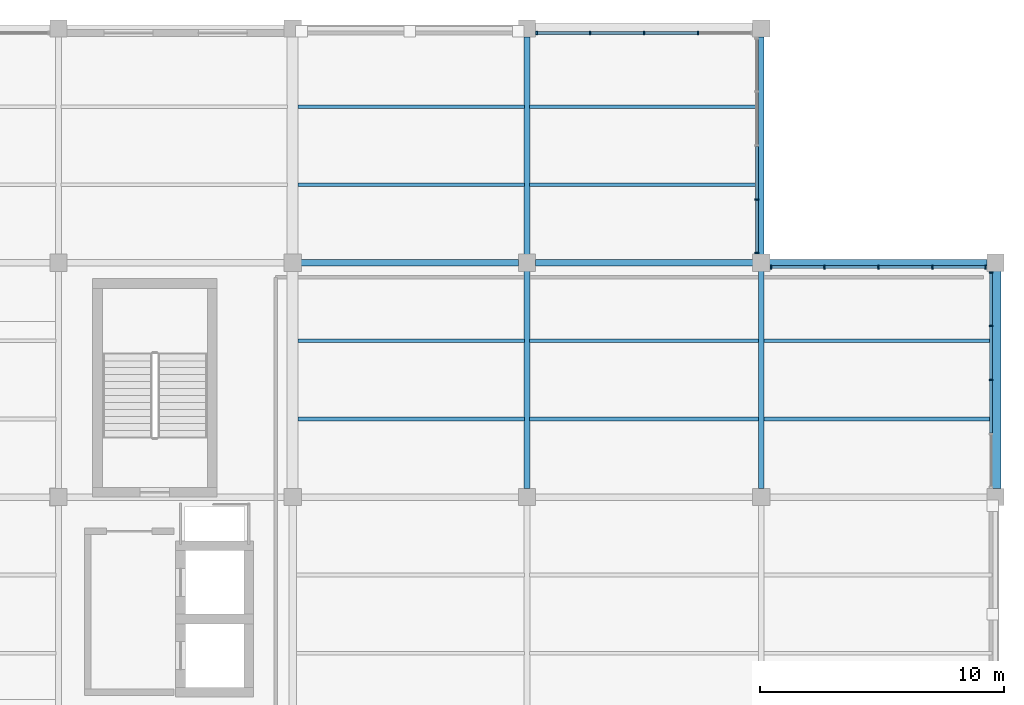
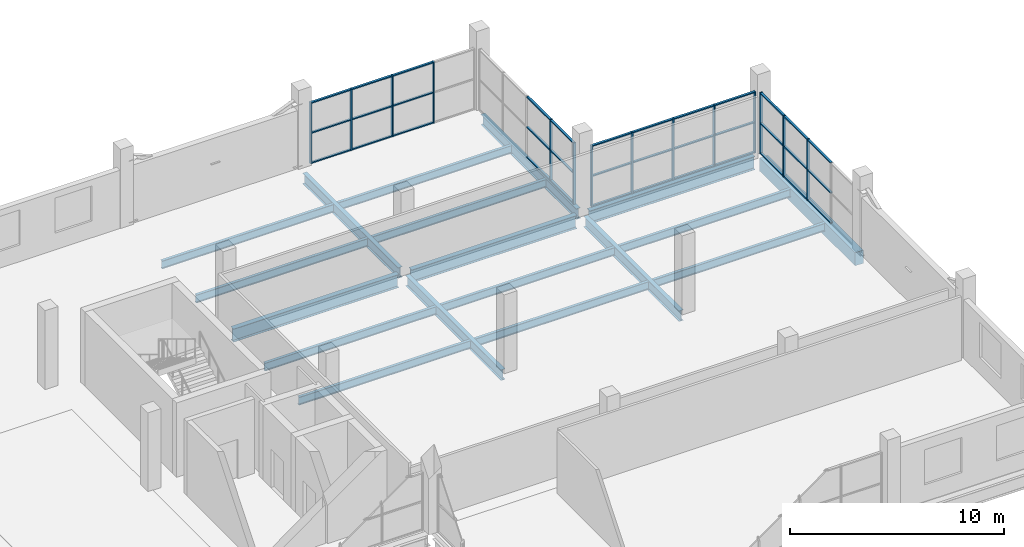
# One storey, part 34 of 75: 50 members, 18 beams, 4 elements without a shape of their own.
"""IFC4 building model written with IfcOpenShell, lengths in metres."""

from ifc_helpers import new_model, si_unit, direction, frame, origin, origin_2d, place, context, subcontext, project, spatial, rectangle, i_section, extrude, material, layer, layer_set, material_profile, profile_set, type_object, element, aggregate, save


model = new_model("IFC4")

# Units and contexts
model_context = context("Model", 3, precision=1e-05, world=origin(), true_north=direction((0.0, 1.0)))
body_context = subcontext(model_context, "Body", "Model", "MODEL_VIEW")
ifc_project = project(units=[si_unit("LENGTHUNIT", "METRE"), si_unit("AREAUNIT", "SQUARE_METRE"), si_unit("VOLUMEUNIT", "CUBIC_METRE"), si_unit("PLANEANGLEUNIT", "RADIAN"), si_unit("MASSUNIT", "GRAM", prefix="KILO")], contexts=[model_context])

# Site, building, storey
site_placement = place(None, origin())
site = spatial("IfcSite", under=ifc_project, at=site_placement, CompositionType="ELEMENT")
building_placement = place(site_placement, origin())
building = spatial("IfcBuilding", under=site, at=building_placement, Name="Caelomonte Colonnade Arena", CompositionType="ELEMENT")
storey_placement = place(building_placement, frame((0.0, 0.0, 14.10009765625)))
storey = spatial("IfcBuildingStorey", under=building, at=storey_placement, Name="L03", CompositionType="ELEMENT", Elevation=14.10009765625)

# Curtain wall, members
ifc_material_1 = material(Name="Bronze anodised aluminium and low-E glazing", Category="aluminium")
ifc_layer = layer(ifc_material_1, 0.179931640625)
ifc_layer_set = layer_set([ifc_layer], Name="Bronze anodised aluminium and low-E glazing")
curtain_wall_type = type_object("IfcCurtainWallType", Name="ENV-CW-CW-L03-96-35", PredefinedType="USERDEFINED", material=ifc_layer_set)
curtain_wall_1_placement = place(storey_placement, origin())
curtain_wall_1 = element("IfcCurtainWall", 1, at=curtain_wall_1_placement, inside=storey, type_object=curtain_wall_type, Name="L03 unitized curtain wall CW-L03-1918-1296", ObjectType="UNITIZED CURTAIN WALL", PredefinedType="USERDEFINED")
ifc_material_2 = material(Name="Bronze anodised aluminium AA6063-T6", Category="aluminium")
ifc_material_profile_1 = material_profile(ifc_material_2, rectangle(XDim=0.06494140625, YDim=0.14990234375, at=origin_2d()), Name="CWM-65X150")
ifc_profile_set_1 = profile_set([ifc_material_profile_1], Name="Bronze anodised aluminium AA6063-T6")
member_type_1 = type_object("IfcMemberType", Name="ENV-CW-MULL2", PredefinedType="MULLION", material=ifc_profile_set_1)
member_1_placement = place(storey_placement, frame((191.820068359375, 129.60009765625, 0.0), z_axis=(0.0, 0.0, 1.0), x_axis=(0.0, 1.0, 0.0)))
member_1 = element("IfcMember", 2, at=member_1_placement, type_object=member_type_1, Name="CW-L03-96-35 mullion 3", PredefinedType="MULLION", context=body_context, shape_type="SweptSolid", body=[
    extrude(rectangle(XDim=0.06494140625, YDim=0.14990234375, at=origin_2d()), origin(), (0.0, 0.0, 1.0), 3.489990234375),
])
member_2_placement = place(storey_placement, frame((191.820068359375, 131.81494140625, 0.0), z_axis=(0.0, 0.0, 1.0), x_axis=(0.0, 1.0, 0.0)))
member_2 = element("IfcMember", 3, at=member_2_placement, type_object=member_type_1, Name="CW-L03-96-35 mullion 4", PredefinedType="MULLION", context=body_context, shape_type="SweptSolid", body=[
    extrude(rectangle(XDim=0.06494140625, YDim=0.14990234375, at=origin_2d()), origin(), (0.0, 0.0, 1.0), 3.489990234375),
])
member_3_placement = place(storey_placement, frame((191.820068359375, 133.99755859375, 0.0), z_axis=(0.0, 0.0, 1.0), x_axis=(0.0, 1.0, 0.0)))
member_3 = element("IfcMember", 4, at=member_3_placement, type_object=member_type_1, Name="CW-L03-96-35 mullion 5", PredefinedType="MULLION", context=body_context, shape_type="SweptSolid", body=[
    extrude(rectangle(XDim=0.06494140625, YDim=0.14990234375, at=origin_2d()), origin(), (0.0, 0.0, 1.0), 3.489990234375),
])

curtain_wall_2_placement = place(storey_placement, origin())
curtain_wall_2 = element("IfcCurtainWall", 5, at=curtain_wall_2_placement, inside=storey, type_object=curtain_wall_type, Name="L03 unitized curtain wall CW-L03-1872-1342", ObjectType="UNITIZED CURTAIN WALL", PredefinedType="USERDEFINED")
member_4_placement = place(storey_placement, frame((191.597412109375, 134.219970703125, 0.0), z_axis=(0.0, 0.0, 1.0), x_axis=(-1.0, 0.0, 0.0)))
member_4 = element("IfcMember", 6, at=member_4_placement, type_object=member_type_1, Name="CW-L03-96-35 mullion 1", PredefinedType="MULLION", context=body_context, shape_type="SweptSolid", body=[
    extrude(rectangle(XDim=0.06494140625, YDim=0.14990234375, at=origin_2d()), origin(), (0.0, 0.0, 1.0), 3.489990234375),
])
member_5_placement = place(storey_placement, frame((189.4150390625, 134.219970703125, 0.0), z_axis=(0.0, 0.0, 1.0), x_axis=(-1.0, 0.0, 0.0)))
member_5 = element("IfcMember", 7, at=member_5_placement, type_object=member_type_1, Name="CW-L03-96-35 mullion 2", PredefinedType="MULLION", context=body_context, shape_type="SweptSolid", body=[
    extrude(rectangle(XDim=0.06494140625, YDim=0.14990234375, at=origin_2d()), origin(), (0.0, 0.0, 1.0), 3.489990234375),
])
member_6_placement = place(storey_placement, frame((187.199951171875, 134.219970703125, 0.0), z_axis=(0.0, 0.0, 1.0), x_axis=(-1.0, 0.0, 0.0)))
member_6 = element("IfcMember", 8, at=member_6_placement, type_object=member_type_1, Name="CW-L03-96-35 mullion 3", PredefinedType="MULLION", context=body_context, shape_type="SweptSolid", body=[
    extrude(rectangle(XDim=0.06494140625, YDim=0.14990234375, at=origin_2d()), origin(), (0.0, 0.0, 1.0), 3.489990234375),
])
member_7_placement = place(storey_placement, frame((184.985107421875, 134.219970703125, 0.0), z_axis=(0.0, 0.0, 1.0), x_axis=(-1.0, 0.0, 0.0)))
member_7 = element("IfcMember", 9, at=member_7_placement, type_object=member_type_1, Name="CW-L03-96-35 mullion 4", PredefinedType="MULLION", context=body_context, shape_type="SweptSolid", body=[
    extrude(rectangle(XDim=0.06494140625, YDim=0.14990234375, at=origin_2d()), origin(), (0.0, 0.0, 1.0), 3.489990234375),
])
member_8_placement = place(storey_placement, frame((182.802490234375, 134.219970703125, 0.0), z_axis=(0.0, 0.0, 1.0), x_axis=(-1.0, 0.0, 0.0)))
member_8 = element("IfcMember", 10, at=member_8_placement, type_object=member_type_1, Name="CW-L03-96-35 mullion 5", PredefinedType="MULLION", context=body_context, shape_type="SweptSolid", body=[
    extrude(rectangle(XDim=0.06494140625, YDim=0.14990234375, at=origin_2d()), origin(), (0.0, 0.0, 1.0), 3.489990234375),
])

curtain_wall_3_placement = place(storey_placement, origin())
curtain_wall_3 = element("IfcCurtainWall", 11, at=curtain_wall_3_placement, inside=storey, type_object=curtain_wall_type, Name="L03 unitized curtain wall CW-L03-1822-1392", ObjectType="UNITIZED CURTAIN WALL", PredefinedType="USERDEFINED")
member_9_placement = place(storey_placement, frame((182.219970703125, 134.802490234375, 0.0), z_axis=(0.0, 0.0, 1.0), x_axis=(0.0, 1.0, 0.0)))
member_9 = element("IfcMember", 12, at=member_9_placement, type_object=member_type_1, Name="CW-L03-96-35 mullion 1", PredefinedType="MULLION", context=body_context, shape_type="SweptSolid", body=[
    extrude(rectangle(XDim=0.06494140625, YDim=0.14990234375, at=origin_2d()), origin(), (0.0, 0.0, 1.0), 3.489990234375),
])
member_10_placement = place(storey_placement, frame((182.219970703125, 136.985107421875, 0.0), z_axis=(0.0, 0.0, 1.0), x_axis=(0.0, 1.0, 0.0)))
member_10 = element("IfcMember", 13, at=member_10_placement, type_object=member_type_1, Name="CW-L03-96-35 mullion 2", PredefinedType="MULLION", context=body_context, shape_type="SweptSolid", body=[
    extrude(rectangle(XDim=0.06494140625, YDim=0.14990234375, at=origin_2d()), origin(), (0.0, 0.0, 1.0), 3.489990234375),
])

curtain_wall_4_placement = place(storey_placement, origin())
curtain_wall_4 = element("IfcCurtainWall", 14, at=curtain_wall_4_placement, inside=storey, type_object=curtain_wall_type, Name="L03 unitized curtain wall CW-L03-1776-1438", ObjectType="UNITIZED CURTAIN WALL", PredefinedType="USERDEFINED")
member_11_placement = place(storey_placement, frame((179.81494140625, 143.820068359375, 0.0), z_axis=(0.0, 0.0, 1.0), x_axis=(-1.0, 0.0, 0.0)))
member_11 = element("IfcMember", 15, at=member_11_placement, type_object=member_type_1, Name="CW-L03-96-35 mullion 2", PredefinedType="MULLION", context=body_context, shape_type="SweptSolid", body=[
    extrude(rectangle(XDim=0.06494140625, YDim=0.14990234375, at=origin_2d()), origin(), (0.0, 0.0, 1.0), 3.489990234375),
])
member_12_placement = place(storey_placement, frame((177.60009765625, 143.820068359375, 0.0), z_axis=(0.0, 0.0, 1.0), x_axis=(-1.0, 0.0, 0.0)))
member_12 = element("IfcMember", 16, at=member_12_placement, type_object=member_type_1, Name="CW-L03-96-35 mullion 3", PredefinedType="MULLION", context=body_context, shape_type="SweptSolid", body=[
    extrude(rectangle(XDim=0.06494140625, YDim=0.14990234375, at=origin_2d()), origin(), (0.0, 0.0, 1.0), 3.489990234375),
])
member_13_placement = place(storey_placement, frame((175.385009765625, 143.820068359375, 0.0), z_axis=(0.0, 0.0, 1.0), x_axis=(-1.0, 0.0, 0.0)))
member_13 = element("IfcMember", 17, at=member_13_placement, type_object=member_type_1, Name="CW-L03-96-35 mullion 4", PredefinedType="MULLION", context=body_context, shape_type="SweptSolid", body=[
    extrude(rectangle(XDim=0.06494140625, YDim=0.14990234375, at=origin_2d()), origin(), (0.0, 0.0, 1.0), 3.489990234375),
])
member_14_placement = place(storey_placement, frame((173.202392578125, 143.820068359375, 0.0), z_axis=(0.0, 0.0, 1.0), x_axis=(-1.0, 0.0, 0.0)))
member_14 = element("IfcMember", 18, at=member_14_placement, type_object=member_type_1, Name="CW-L03-96-35 mullion 5", PredefinedType="MULLION", context=body_context, shape_type="SweptSolid", body=[
    extrude(rectangle(XDim=0.06494140625, YDim=0.14990234375, at=origin_2d()), origin(), (0.0, 0.0, 1.0), 3.489990234375),
])

# Member
ifc_material_profile_2 = material_profile(ifc_material_2, rectangle(XDim=0.06494140625, YDim=0.1201171875, at=origin_2d()), Name="CWT-65X120")
ifc_profile_set_2 = profile_set([ifc_material_profile_2], Name="Bronze anodised aluminium AA6063-T6")
member_type_2 = type_object("IfcMemberType", Name="ENV-CW-TRAN2", PredefinedType="USERDEFINED", material=ifc_profile_set_2)
member_15_placement = place(storey_placement, frame((191.820068359375, 127.41748046875, 0.032470703125), z_axis=(0.0, 1.0, 0.0), x_axis=(0.0, 0.0, 1.0)))
member_15 = element("IfcMember", 19, at=member_15_placement, type_object=member_type_2, Name="CW-L03-96-35 transom 2.1", ObjectType="TRANSOM", PredefinedType="USERDEFINED", context=body_context, shape_type="SweptSolid", body=[
    extrude(rectangle(XDim=0.06494140625, YDim=0.1201171875, at=origin_2d()), origin(), (0.0, 0.0, 1.0), 2.14990234375),
])

member_16_placement = place(storey_placement, frame((191.820068359375, 127.41748046875, 1.744873046875), z_axis=(0.0, 1.0, 0.0), x_axis=(0.0, 0.0, 1.0)))
member_16 = element("IfcMember", 20, at=member_16_placement, type_object=member_type_2, Name="CW-L03-96-35 transom 2.2", ObjectType="TRANSOM", PredefinedType="USERDEFINED", context=body_context, shape_type="SweptSolid", body=[
    extrude(rectangle(XDim=0.06494140625, YDim=0.1201171875, at=origin_2d()), origin(), (0.0, 0.0, 1.0), 2.14990234375),
])

member_17_placement = place(storey_placement, frame((191.820068359375, 127.41748046875, 3.45751953125), z_axis=(0.0, 1.0, 0.0), x_axis=(0.0, 0.0, 1.0)))
member_17 = element("IfcMember", 21, at=member_17_placement, type_object=member_type_2, Name="CW-L03-96-35 transom 2.3", ObjectType="TRANSOM", PredefinedType="USERDEFINED", context=body_context, shape_type="SweptSolid", body=[
    extrude(rectangle(XDim=0.06494140625, YDim=0.1201171875, at=origin_2d()), origin(), (0.0, 0.0, 1.0), 2.14990234375),
])

member_18_placement = place(storey_placement, frame((191.820068359375, 129.632568359375, 0.032470703125), z_axis=(0.0, 1.0, 0.0), x_axis=(0.0, 0.0, 1.0)))
member_18 = element("IfcMember", 22, at=member_18_placement, type_object=member_type_2, Name="CW-L03-96-35 transom 3.1", ObjectType="TRANSOM", PredefinedType="USERDEFINED", context=body_context, shape_type="SweptSolid", body=[
    extrude(rectangle(XDim=0.06494140625, YDim=0.1201171875, at=origin_2d()), origin(), (0.0, 0.0, 1.0), 2.14990234375),
])

member_19_placement = place(storey_placement, frame((191.820068359375, 129.632568359375, 1.744873046875), z_axis=(0.0, 1.0, 0.0), x_axis=(0.0, 0.0, 1.0)))
member_19 = element("IfcMember", 23, at=member_19_placement, type_object=member_type_2, Name="CW-L03-96-35 transom 3.2", ObjectType="TRANSOM", PredefinedType="USERDEFINED", context=body_context, shape_type="SweptSolid", body=[
    extrude(rectangle(XDim=0.06494140625, YDim=0.1201171875, at=origin_2d()), origin(), (0.0, 0.0, 1.0), 2.14990234375),
])

member_20_placement = place(storey_placement, frame((191.820068359375, 129.632568359375, 3.45751953125), z_axis=(0.0, 1.0, 0.0), x_axis=(0.0, 0.0, 1.0)))
member_20 = element("IfcMember", 24, at=member_20_placement, type_object=member_type_2, Name="CW-L03-96-35 transom 3.3", ObjectType="TRANSOM", PredefinedType="USERDEFINED", context=body_context, shape_type="SweptSolid", body=[
    extrude(rectangle(XDim=0.06494140625, YDim=0.1201171875, at=origin_2d()), origin(), (0.0, 0.0, 1.0), 2.14990234375),
])

member_21_placement = place(storey_placement, frame((191.820068359375, 131.847412109375, 0.032470703125), z_axis=(0.0, 1.0, 0.0), x_axis=(0.0, 0.0, 1.0)))
member_21 = element("IfcMember", 25, at=member_21_placement, type_object=member_type_2, Name="CW-L03-96-35 transom 4.1", ObjectType="TRANSOM", PredefinedType="USERDEFINED", context=body_context, shape_type="SweptSolid", body=[
    extrude(rectangle(XDim=0.06494140625, YDim=0.1201171875, at=origin_2d()), origin(), (0.0, 0.0, 1.0), 2.11767578125),
])

member_22_placement = place(storey_placement, frame((191.820068359375, 131.847412109375, 1.744873046875), z_axis=(0.0, 1.0, 0.0), x_axis=(0.0, 0.0, 1.0)))
member_22 = element("IfcMember", 26, at=member_22_placement, type_object=member_type_2, Name="CW-L03-96-35 transom 4.2", ObjectType="TRANSOM", PredefinedType="USERDEFINED", context=body_context, shape_type="SweptSolid", body=[
    extrude(rectangle(XDim=0.06494140625, YDim=0.1201171875, at=origin_2d()), origin(), (0.0, 0.0, 1.0), 2.11767578125),
])

member_23_placement = place(storey_placement, frame((191.820068359375, 131.847412109375, 3.45751953125), z_axis=(0.0, 1.0, 0.0), x_axis=(0.0, 0.0, 1.0)))
member_23 = element("IfcMember", 27, at=member_23_placement, type_object=member_type_2, Name="CW-L03-96-35 transom 4.3", ObjectType="TRANSOM", PredefinedType="USERDEFINED", context=body_context, shape_type="SweptSolid", body=[
    extrude(rectangle(XDim=0.06494140625, YDim=0.1201171875, at=origin_2d()), origin(), (0.0, 0.0, 1.0), 2.11767578125),
])

aggregate(curtain_wall_1, [member_1, member_2, member_3, member_15, member_16, member_17, member_18, member_19, member_20, member_21, member_22, member_23])

member_24_placement = place(storey_placement, frame((191.56494140625, 134.219970703125, 0.032470703125), z_axis=(-1.0, 0.0, 0.0), x_axis=(0.0, 0.0, 1.0)))
member_24 = element("IfcMember", 28, at=member_24_placement, type_object=member_type_2, Name="CW-L03-96-35 transom 1.1", ObjectType="TRANSOM", PredefinedType="USERDEFINED", context=body_context, shape_type="SweptSolid", body=[
    extrude(rectangle(XDim=0.06494140625, YDim=0.1201171875, at=origin_2d()), origin(), (0.0, 0.0, 1.0), 2.117431640625),
])

member_25_placement = place(storey_placement, frame((191.56494140625, 134.219970703125, 1.744873046875), z_axis=(-1.0, 0.0, 0.0), x_axis=(0.0, 0.0, 1.0)))
member_25 = element("IfcMember", 29, at=member_25_placement, type_object=member_type_2, Name="CW-L03-96-35 transom 1.2", ObjectType="TRANSOM", PredefinedType="USERDEFINED", context=body_context, shape_type="SweptSolid", body=[
    extrude(rectangle(XDim=0.06494140625, YDim=0.1201171875, at=origin_2d()), origin(), (0.0, 0.0, 1.0), 2.117431640625),
])

member_26_placement = place(storey_placement, frame((191.56494140625, 134.219970703125, 3.45751953125), z_axis=(-1.0, 0.0, 0.0), x_axis=(0.0, 0.0, 1.0)))
member_26 = element("IfcMember", 30, at=member_26_placement, type_object=member_type_2, Name="CW-L03-96-35 transom 1.3", ObjectType="TRANSOM", PredefinedType="USERDEFINED", context=body_context, shape_type="SweptSolid", body=[
    extrude(rectangle(XDim=0.06494140625, YDim=0.1201171875, at=origin_2d()), origin(), (0.0, 0.0, 1.0), 2.117431640625),
])

member_27_placement = place(storey_placement, frame((189.382568359375, 134.219970703125, 0.032470703125), z_axis=(-1.0, 0.0, 0.0), x_axis=(0.0, 0.0, 1.0)))
member_27 = element("IfcMember", 31, at=member_27_placement, type_object=member_type_2, Name="CW-L03-96-35 transom 2.1", ObjectType="TRANSOM", PredefinedType="USERDEFINED", context=body_context, shape_type="SweptSolid", body=[
    extrude(rectangle(XDim=0.06494140625, YDim=0.1201171875, at=origin_2d()), origin(), (0.0, 0.0, 1.0), 2.150146484375),
])

member_28_placement = place(storey_placement, frame((189.382568359375, 134.219970703125, 1.744873046875), z_axis=(-1.0, 0.0, 0.0), x_axis=(0.0, 0.0, 1.0)))
member_28 = element("IfcMember", 32, at=member_28_placement, type_object=member_type_2, Name="CW-L03-96-35 transom 2.2", ObjectType="TRANSOM", PredefinedType="USERDEFINED", context=body_context, shape_type="SweptSolid", body=[
    extrude(rectangle(XDim=0.06494140625, YDim=0.1201171875, at=origin_2d()), origin(), (0.0, 0.0, 1.0), 2.150146484375),
])

member_29_placement = place(storey_placement, frame((189.382568359375, 134.219970703125, 3.45751953125), z_axis=(-1.0, 0.0, 0.0), x_axis=(0.0, 0.0, 1.0)))
member_29 = element("IfcMember", 33, at=member_29_placement, type_object=member_type_2, Name="CW-L03-96-35 transom 2.3", ObjectType="TRANSOM", PredefinedType="USERDEFINED", context=body_context, shape_type="SweptSolid", body=[
    extrude(rectangle(XDim=0.06494140625, YDim=0.1201171875, at=origin_2d()), origin(), (0.0, 0.0, 1.0), 2.150146484375),
])

member_30_placement = place(storey_placement, frame((187.16748046875, 134.219970703125, 0.032470703125), z_axis=(-1.0, 0.0, 0.0), x_axis=(0.0, 0.0, 1.0)))
member_30 = element("IfcMember", 34, at=member_30_placement, type_object=member_type_2, Name="CW-L03-96-35 transom 3.1", ObjectType="TRANSOM", PredefinedType="USERDEFINED", context=body_context, shape_type="SweptSolid", body=[
    extrude(rectangle(XDim=0.06494140625, YDim=0.1201171875, at=origin_2d()), origin(), (0.0, 0.0, 1.0), 2.14990234375),
])

member_31_placement = place(storey_placement, frame((187.16748046875, 134.219970703125, 1.744873046875), z_axis=(-1.0, 0.0, 0.0), x_axis=(0.0, 0.0, 1.0)))
member_31 = element("IfcMember", 35, at=member_31_placement, type_object=member_type_2, Name="CW-L03-96-35 transom 3.2", ObjectType="TRANSOM", PredefinedType="USERDEFINED", context=body_context, shape_type="SweptSolid", body=[
    extrude(rectangle(XDim=0.06494140625, YDim=0.1201171875, at=origin_2d()), origin(), (0.0, 0.0, 1.0), 2.14990234375),
])

member_32_placement = place(storey_placement, frame((187.16748046875, 134.219970703125, 3.45751953125), z_axis=(-1.0, 0.0, 0.0), x_axis=(0.0, 0.0, 1.0)))
member_32 = element("IfcMember", 36, at=member_32_placement, type_object=member_type_2, Name="CW-L03-96-35 transom 3.3", ObjectType="TRANSOM", PredefinedType="USERDEFINED", context=body_context, shape_type="SweptSolid", body=[
    extrude(rectangle(XDim=0.06494140625, YDim=0.1201171875, at=origin_2d()), origin(), (0.0, 0.0, 1.0), 2.14990234375),
])

member_33_placement = place(storey_placement, frame((184.952392578125, 134.219970703125, 0.032470703125), z_axis=(-1.0, 0.0, 0.0), x_axis=(0.0, 0.0, 1.0)))
member_33 = element("IfcMember", 37, at=member_33_placement, type_object=member_type_2, Name="CW-L03-96-35 transom 4.1", ObjectType="TRANSOM", PredefinedType="USERDEFINED", context=body_context, shape_type="SweptSolid", body=[
    extrude(rectangle(XDim=0.06494140625, YDim=0.1201171875, at=origin_2d()), origin(), (0.0, 0.0, 1.0), 2.117431640625),
])

member_34_placement = place(storey_placement, frame((184.952392578125, 134.219970703125, 1.744873046875), z_axis=(-1.0, 0.0, 0.0), x_axis=(0.0, 0.0, 1.0)))
member_34 = element("IfcMember", 38, at=member_34_placement, type_object=member_type_2, Name="CW-L03-96-35 transom 4.2", ObjectType="TRANSOM", PredefinedType="USERDEFINED", context=body_context, shape_type="SweptSolid", body=[
    extrude(rectangle(XDim=0.06494140625, YDim=0.1201171875, at=origin_2d()), origin(), (0.0, 0.0, 1.0), 2.117431640625),
])

member_35_placement = place(storey_placement, frame((184.952392578125, 134.219970703125, 3.45751953125), z_axis=(-1.0, 0.0, 0.0), x_axis=(0.0, 0.0, 1.0)))
member_35 = element("IfcMember", 39, at=member_35_placement, type_object=member_type_2, Name="CW-L03-96-35 transom 4.3", ObjectType="TRANSOM", PredefinedType="USERDEFINED", context=body_context, shape_type="SweptSolid", body=[
    extrude(rectangle(XDim=0.06494140625, YDim=0.1201171875, at=origin_2d()), origin(), (0.0, 0.0, 1.0), 2.117431640625),
])

aggregate(curtain_wall_2, [member_4, member_5, member_6, member_7, member_8, member_24, member_25, member_26, member_27, member_28, member_29, member_30, member_31, member_32, member_33, member_34, member_35])

member_36_placement = place(storey_placement, frame((182.219970703125, 134.8349609375, 0.032470703125), z_axis=(0.0, 1.0, 0.0), x_axis=(0.0, 0.0, 1.0)))
member_36 = element("IfcMember", 40, at=member_36_placement, type_object=member_type_2, Name="CW-L03-96-35 transom 1.1", ObjectType="TRANSOM", PredefinedType="USERDEFINED", context=body_context, shape_type="SweptSolid", body=[
    extrude(rectangle(XDim=0.06494140625, YDim=0.1201171875, at=origin_2d()), origin(), (0.0, 0.0, 1.0), 2.117431640625),
])

member_37_placement = place(storey_placement, frame((182.219970703125, 134.8349609375, 1.744873046875), z_axis=(0.0, 1.0, 0.0), x_axis=(0.0, 0.0, 1.0)))
member_37 = element("IfcMember", 41, at=member_37_placement, type_object=member_type_2, Name="CW-L03-96-35 transom 1.2", ObjectType="TRANSOM", PredefinedType="USERDEFINED", context=body_context, shape_type="SweptSolid", body=[
    extrude(rectangle(XDim=0.06494140625, YDim=0.1201171875, at=origin_2d()), origin(), (0.0, 0.0, 1.0), 2.117431640625),
])

member_38_placement = place(storey_placement, frame((182.219970703125, 134.8349609375, 3.45751953125), z_axis=(0.0, 1.0, 0.0), x_axis=(0.0, 0.0, 1.0)))
member_38 = element("IfcMember", 42, at=member_38_placement, type_object=member_type_2, Name="CW-L03-96-35 transom 1.3", ObjectType="TRANSOM", PredefinedType="USERDEFINED", context=body_context, shape_type="SweptSolid", body=[
    extrude(rectangle(XDim=0.06494140625, YDim=0.1201171875, at=origin_2d()), origin(), (0.0, 0.0, 1.0), 2.117431640625),
])

member_39_placement = place(storey_placement, frame((182.219970703125, 137.017578125, 0.032470703125), z_axis=(0.0, 1.0, 0.0), x_axis=(0.0, 0.0, 1.0)))
member_39 = element("IfcMember", 43, at=member_39_placement, type_object=member_type_2, Name="CW-L03-96-35 transom 2.1", ObjectType="TRANSOM", PredefinedType="USERDEFINED", context=body_context, shape_type="SweptSolid", body=[
    extrude(rectangle(XDim=0.06494140625, YDim=0.1201171875, at=origin_2d()), origin(), (0.0, 0.0, 1.0), 2.14990234375),
])

member_40_placement = place(storey_placement, frame((182.219970703125, 137.017578125, 1.744873046875), z_axis=(0.0, 1.0, 0.0), x_axis=(0.0, 0.0, 1.0)))
member_40 = element("IfcMember", 44, at=member_40_placement, type_object=member_type_2, Name="CW-L03-96-35 transom 2.2", ObjectType="TRANSOM", PredefinedType="USERDEFINED", context=body_context, shape_type="SweptSolid", body=[
    extrude(rectangle(XDim=0.06494140625, YDim=0.1201171875, at=origin_2d()), origin(), (0.0, 0.0, 1.0), 2.14990234375),
])

member_41_placement = place(storey_placement, frame((182.219970703125, 137.017578125, 3.45751953125), z_axis=(0.0, 1.0, 0.0), x_axis=(0.0, 0.0, 1.0)))
member_41 = element("IfcMember", 45, at=member_41_placement, type_object=member_type_2, Name="CW-L03-96-35 transom 2.3", ObjectType="TRANSOM", PredefinedType="USERDEFINED", context=body_context, shape_type="SweptSolid", body=[
    extrude(rectangle(XDim=0.06494140625, YDim=0.1201171875, at=origin_2d()), origin(), (0.0, 0.0, 1.0), 2.14990234375),
])

aggregate(curtain_wall_3, [member_9, member_10, member_36, member_37, member_38, member_39, member_40, member_41])

member_42_placement = place(storey_placement, frame((179.782470703125, 143.820068359375, 0.032470703125), z_axis=(-1.0, 0.0, 0.0), x_axis=(0.0, 0.0, 1.0)))
member_42 = element("IfcMember", 46, at=member_42_placement, type_object=member_type_2, Name="CW-L03-96-35 transom 2.1", ObjectType="TRANSOM", PredefinedType="USERDEFINED", context=body_context, shape_type="SweptSolid", body=[
    extrude(rectangle(XDim=0.06494140625, YDim=0.1201171875, at=origin_2d()), origin(), (0.0, 0.0, 1.0), 2.14990234375),
])

member_43_placement = place(storey_placement, frame((179.782470703125, 143.820068359375, 1.744873046875), z_axis=(-1.0, 0.0, 0.0), x_axis=(0.0, 0.0, 1.0)))
member_43 = element("IfcMember", 47, at=member_43_placement, type_object=member_type_2, Name="CW-L03-96-35 transom 2.2", ObjectType="TRANSOM", PredefinedType="USERDEFINED", context=body_context, shape_type="SweptSolid", body=[
    extrude(rectangle(XDim=0.06494140625, YDim=0.1201171875, at=origin_2d()), origin(), (0.0, 0.0, 1.0), 2.14990234375),
])

member_44_placement = place(storey_placement, frame((179.782470703125, 143.820068359375, 3.45751953125), z_axis=(-1.0, 0.0, 0.0), x_axis=(0.0, 0.0, 1.0)))
member_44 = element("IfcMember", 48, at=member_44_placement, type_object=member_type_2, Name="CW-L03-96-35 transom 2.3", ObjectType="TRANSOM", PredefinedType="USERDEFINED", context=body_context, shape_type="SweptSolid", body=[
    extrude(rectangle(XDim=0.06494140625, YDim=0.1201171875, at=origin_2d()), origin(), (0.0, 0.0, 1.0), 2.14990234375),
])

member_45_placement = place(storey_placement, frame((177.5673828125, 143.820068359375, 0.032470703125), z_axis=(-1.0, 0.0, 0.0), x_axis=(0.0, 0.0, 1.0)))
member_45 = element("IfcMember", 49, at=member_45_placement, type_object=member_type_2, Name="CW-L03-96-35 transom 3.1", ObjectType="TRANSOM", PredefinedType="USERDEFINED", context=body_context, shape_type="SweptSolid", body=[
    extrude(rectangle(XDim=0.06494140625, YDim=0.1201171875, at=origin_2d()), origin(), (0.0, 0.0, 1.0), 2.14990234375),
])

member_46_placement = place(storey_placement, frame((177.5673828125, 143.820068359375, 1.744873046875), z_axis=(-1.0, 0.0, 0.0), x_axis=(0.0, 0.0, 1.0)))
member_46 = element("IfcMember", 50, at=member_46_placement, type_object=member_type_2, Name="CW-L03-96-35 transom 3.2", ObjectType="TRANSOM", PredefinedType="USERDEFINED", context=body_context, shape_type="SweptSolid", body=[
    extrude(rectangle(XDim=0.06494140625, YDim=0.1201171875, at=origin_2d()), origin(), (0.0, 0.0, 1.0), 2.14990234375),
])

member_47_placement = place(storey_placement, frame((177.5673828125, 143.820068359375, 3.45751953125), z_axis=(-1.0, 0.0, 0.0), x_axis=(0.0, 0.0, 1.0)))
member_47 = element("IfcMember", 51, at=member_47_placement, type_object=member_type_2, Name="CW-L03-96-35 transom 3.3", ObjectType="TRANSOM", PredefinedType="USERDEFINED", context=body_context, shape_type="SweptSolid", body=[
    extrude(rectangle(XDim=0.06494140625, YDim=0.1201171875, at=origin_2d()), origin(), (0.0, 0.0, 1.0), 2.14990234375),
])

member_48_placement = place(storey_placement, frame((175.3525390625, 143.820068359375, 0.032470703125), z_axis=(-1.0, 0.0, 0.0), x_axis=(0.0, 0.0, 1.0)))
member_48 = element("IfcMember", 52, at=member_48_placement, type_object=member_type_2, Name="CW-L03-96-35 transom 4.1", ObjectType="TRANSOM", PredefinedType="USERDEFINED", context=body_context, shape_type="SweptSolid", body=[
    extrude(rectangle(XDim=0.06494140625, YDim=0.1201171875, at=origin_2d()), origin(), (0.0, 0.0, 1.0), 2.117431640625),
])

member_49_placement = place(storey_placement, frame((175.3525390625, 143.820068359375, 1.744873046875), z_axis=(-1.0, 0.0, 0.0), x_axis=(0.0, 0.0, 1.0)))
member_49 = element("IfcMember", 53, at=member_49_placement, type_object=member_type_2, Name="CW-L03-96-35 transom 4.2", ObjectType="TRANSOM", PredefinedType="USERDEFINED", context=body_context, shape_type="SweptSolid", body=[
    extrude(rectangle(XDim=0.06494140625, YDim=0.1201171875, at=origin_2d()), origin(), (0.0, 0.0, 1.0), 2.117431640625),
])

member_50_placement = place(storey_placement, frame((175.3525390625, 143.820068359375, 3.45751953125), z_axis=(-1.0, 0.0, 0.0), x_axis=(0.0, 0.0, 1.0)))
member_50 = element("IfcMember", 54, at=member_50_placement, type_object=member_type_2, Name="CW-L03-96-35 transom 4.3", ObjectType="TRANSOM", PredefinedType="USERDEFINED", context=body_context, shape_type="SweptSolid", body=[
    extrude(rectangle(XDim=0.06494140625, YDim=0.1201171875, at=origin_2d()), origin(), (0.0, 0.0, 1.0), 2.117431640625),
])

aggregate(curtain_wall_4, [member_11, member_12, member_13, member_14, member_42, member_43, member_44, member_45, member_46, member_47, member_48, member_49, member_50])

# Beams
ifc_material_3 = material(Name="Wide-flange steel ASTM A992 Grade 50", Category="steel")
ifc_material_profile_3 = material_profile(ifc_material_3, i_section(OverallWidth=0.228271484375, OverallDepth=0.607177734375, WebThickness=0.01123046875, FlangeThickness=0.017333984375, FilletRadius=0.0126953125, at=origin_2d()), Name="W24X76")
ifc_profile_set_3 = profile_set([ifc_material_profile_3], Name="Wide-flange steel ASTM A992 Grade 50")
beam_type_1 = type_object("IfcBeamType", Name="STR-BM-GIRD24", PredefinedType="BEAM", material=ifc_profile_set_3)
for number, where, z_axis, x_axis, name in (
    (55, (172.800048828125, 125.14208984375, -0.58349609375), (0.0, 1.0, 0.0), (-1.0, 0.0, 0.0), "L03 girder BMY-L03-1728-1248"),
    (56, (172.800048828125, 134.741943359375, -0.58349609375), (0.0, 1.0, 0.0), (-1.0, 0.0, 0.0), "L03 girder BMY-L03-1728-1344"),
    (57, (182.39990234375, 125.14208984375, -0.58349609375), (0.0, 1.0, 0.0), (-1.0, 0.0, 0.0), "L03 girder BMY-L03-1824-1248"),
    (58, (182.39990234375, 134.741943359375, -0.58349609375), (0.0, 1.0, 0.0), (-1.0, 0.0, 0.0), "L03 girder BMY-L03-1824-1344"),
):
    element("IfcBeam", number, at=place(storey_placement, frame(where, z_axis=z_axis, x_axis=x_axis)), inside=storey, type_object=beam_type_1, Name=name, PredefinedType="BEAM", context=body_context, shape_type="SweptSolid", body=[
        extrude(i_section(OverallWidth=0.228271484375, OverallDepth=0.607177734375, WebThickness=0.01123046875, FlangeThickness=0.017333984375, FilletRadius=0.0126953125, at=origin_2d()), origin(), (0.0, 0.0, 1.0), 8.916015625),
    ])
ifc_material_profile_4 = material_profile(ifc_material_3, i_section(OverallWidth=0.265380859375, OverallDepth=0.75439453125, WebThickness=0.01318359375, FlangeThickness=0.01708984375, FilletRadius=0.0166015625, at=origin_2d()), Name="W30X99")
ifc_profile_set_4 = profile_set([ifc_material_profile_4], Name="Wide-flange steel ASTM A992 Grade 50")
beam_type_2 = type_object("IfcBeamType", Name="STR-BM-GIRD30B", PredefinedType="BEAM", material=ifc_profile_set_4)
for number, where, z_axis, x_axis, name in (
    (59, (163.5419921875, 134.39990234375, -0.6572265625), (1.0, 0.0, 0.0), (0.0, 1.0, 0.0), "L03 girder BMX-L03-1632-1344"),
    (60, (173.14208984375, 134.39990234375, -0.6572265625), (1.0, 0.0, 0.0), (0.0, 1.0, 0.0), "L03 girder BMX-L03-1728-1344"),
    (61, (182.741943359375, 134.39990234375, -0.6572265625), (1.0, 0.0, 0.0), (0.0, 1.0, 0.0), "L03 girder BMX-L03-1824-1344"),
):
    element("IfcBeam", number, at=place(storey_placement, frame(where, z_axis=z_axis, x_axis=x_axis)), inside=storey, type_object=beam_type_2, Name=name, PredefinedType="BEAM", context=body_context, shape_type="SweptSolid", body=[
        extrude(i_section(OverallWidth=0.265380859375, OverallDepth=0.75439453125, WebThickness=0.01318359375, FlangeThickness=0.01708984375, FilletRadius=0.0166015625, at=origin_2d()), origin(), (0.0, 0.0, 1.0), 8.916015625),
    ])
ifc_material_profile_5 = material_profile(ifc_material_3, i_section(OverallWidth=0.15283203125, OverallDepth=0.45458984375, WebThickness=0.008056640625, FlangeThickness=0.01318359375, FilletRadius=0.01025390625, at=origin_2d()), Name="W18X40")
ifc_profile_set_5 = profile_set([ifc_material_profile_5], Name="Wide-flange steel ASTM A992 Grade 50")
beam_type_3 = type_object("IfcBeamType", Name="STR-BM-JOIST18B", PredefinedType="JOIST", material=ifc_profile_set_5)
for number, where, z_axis, x_axis, name in (
    (62, (163.419921875, 128.0, -0.50732421875), (1.0, 0.0, 0.0), (0.0, 1.0, 0.0), "L03 secondary joist 1"),
    (63, (163.419921875, 131.199951171875, -0.50732421875), (1.0, 0.0, 0.0), (0.0, 1.0, 0.0), "L03 secondary joist 2"),
    (64, (163.419921875, 137.60009765625, -0.50732421875), (1.0, 0.0, 0.0), (0.0, 1.0, 0.0), "L03 secondary joist 1"),
    (65, (163.419921875, 140.800048828125, -0.50732421875), (1.0, 0.0, 0.0), (0.0, 1.0, 0.0), "L03 secondary joist 2"),
):
    element("IfcBeam", number, at=place(storey_placement, frame(where, z_axis=z_axis, x_axis=x_axis)), inside=storey, type_object=beam_type_3, Name=name, PredefinedType="JOIST", context=body_context, shape_type="SweptSolid", body=[
        extrude(i_section(OverallWidth=0.15283203125, OverallDepth=0.45458984375, WebThickness=0.008056640625, FlangeThickness=0.01318359375, FilletRadius=0.01025390625, at=origin_2d()), origin(), (0.0, 0.0, 1.0), 9.27099609375),
    ])
for number, where, z_axis, x_axis, name in (
    (66, (172.9091796875, 128.0, -0.50732421875), (1.0, 0.0, 0.0), (0.0, 1.0, 0.0), "L03 secondary joist 1"),
    (67, (172.9091796875, 131.199951171875, -0.50732421875), (1.0, 0.0, 0.0), (0.0, 1.0, 0.0), "L03 secondary joist 2"),
    (68, (172.9091796875, 137.60009765625, -0.50732421875), (1.0, 0.0, 0.0), (0.0, 1.0, 0.0), "L03 secondary joist 1"),
    (69, (172.9091796875, 140.800048828125, -0.50732421875), (1.0, 0.0, 0.0), (0.0, 1.0, 0.0), "L03 secondary joist 2"),
):
    element("IfcBeam", number, at=place(storey_placement, frame(where, z_axis=z_axis, x_axis=x_axis)), inside=storey, type_object=beam_type_3, Name=name, PredefinedType="JOIST", context=body_context, shape_type="SweptSolid", body=[
        extrude(i_section(OverallWidth=0.15283203125, OverallDepth=0.45458984375, WebThickness=0.008056640625, FlangeThickness=0.01318359375, FilletRadius=0.01025390625, at=origin_2d()), origin(), (0.0, 0.0, 1.0), 9.3818359375),
    ])
for number, where, z_axis, x_axis, name in (
    (70, (182.50927734375, 128.0, -0.50732421875), (1.0, 0.0, 0.0), (0.0, 1.0, 0.0), "L03 secondary joist 1"),
    (71, (182.50927734375, 131.199951171875, -0.50732421875), (1.0, 0.0, 0.0), (0.0, 1.0, 0.0), "L03 secondary joist 2"),
):
    element("IfcBeam", number, at=place(storey_placement, frame(where, z_axis=z_axis, x_axis=x_axis)), inside=storey, type_object=beam_type_3, Name=name, PredefinedType="JOIST", context=body_context, shape_type="SweptSolid", body=[
        extrude(i_section(OverallWidth=0.15283203125, OverallDepth=0.45458984375, WebThickness=0.008056640625, FlangeThickness=0.01318359375, FilletRadius=0.01025390625, at=origin_2d()), origin(), (0.0, 0.0, 1.0), 9.270751953125),
    ])
ifc_material_4 = material(Name="Concrete C40/50", Category="concrete")
ifc_material_profile_6 = material_profile(ifc_material_4, rectangle(XDim=0.449951171875, YDim=0.75, at=origin_2d()), Name="RC450X750")
ifc_profile_set_6 = profile_set([ifc_material_profile_6], Name="Concrete C40/50")
beam_type_4 = type_object("IfcBeamType", Name="STR-BM-SPAN24", PredefinedType="SPANDREL", material=ifc_profile_set_6)
beam_placement = place(storey_placement, frame((192.0, 125.14208984375, -0.655029296875), z_axis=(0.0, 1.0, 0.0), x_axis=(-1.0, 0.0, 0.0)))
element("IfcBeam", 72, at=beam_placement, inside=storey, type_object=beam_type_4, Name="L03 girder BMY-L03-1920-1248", PredefinedType="SPANDREL", context=body_context, shape_type="SweptSolid", body=[
    extrude(rectangle(XDim=0.449951171875, YDim=0.75, at=origin_2d()), origin(), (0.0, 0.0, 1.0), 8.916015625),
])

save(model, "model.ifc")
